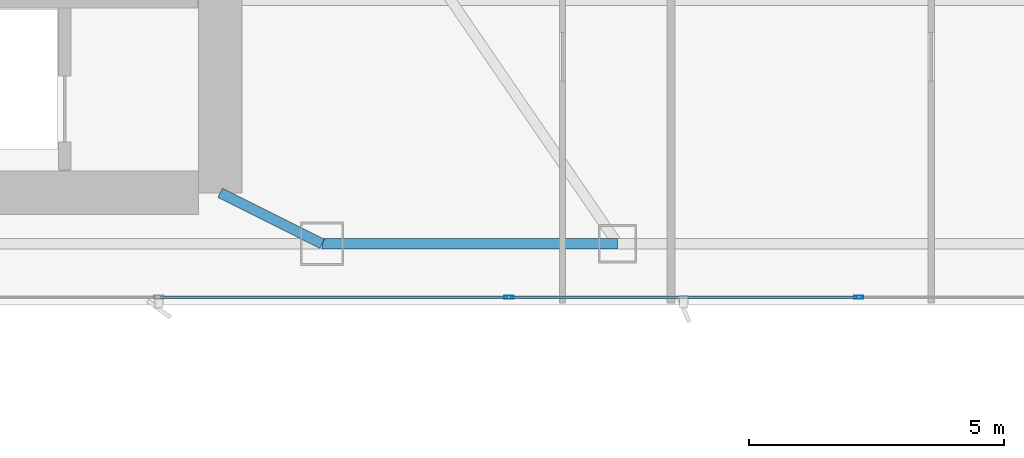
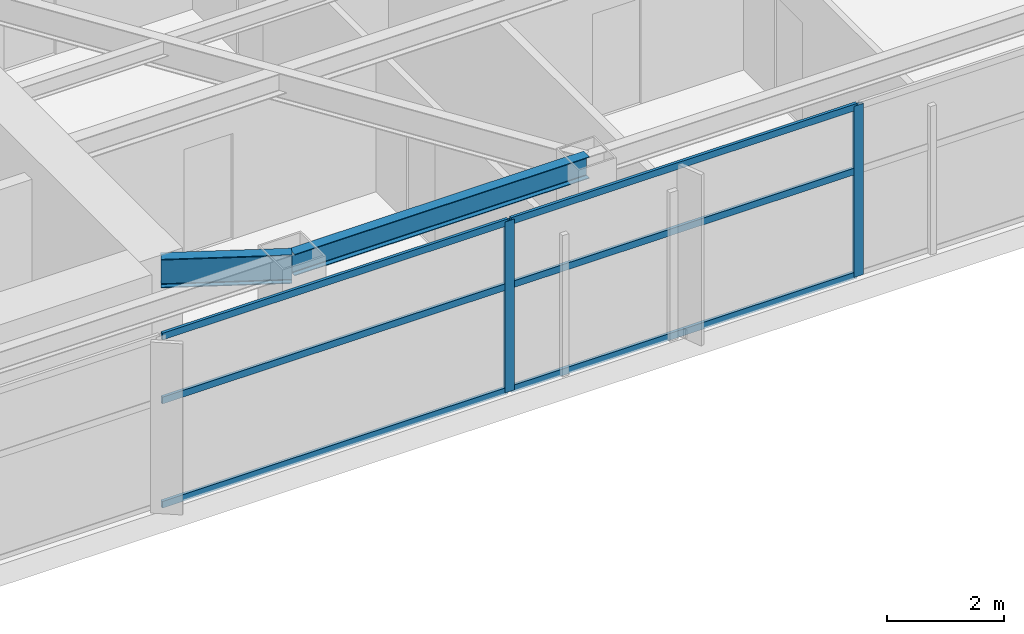
# One storey, part 13 of 30: 8 members, 2 beams, 1 element without a shape of its own.
"""IFC4 building model written with IfcOpenShell, lengths in metres."""

from ifc_helpers import new_model, si_unit, direction, frame, origin, origin_2d, place, context, subcontext, project, spatial, hollow_rectangle, i_section, extrude, material, layer, layer_set, material_profile, profile_set, type_object, element, aggregate, save


model = new_model("IFC4")

# Units and contexts
model_context = context("Model", 3, precision=1e-05, world=origin(), true_north=direction((0.0, 1.0)))
body_context = subcontext(model_context, "Body", "Model", "MODEL_VIEW")
ifc_project = project(units=[si_unit("LENGTHUNIT", "METRE"), si_unit("AREAUNIT", "SQUARE_METRE"), si_unit("VOLUMEUNIT", "CUBIC_METRE"), si_unit("PLANEANGLEUNIT", "RADIAN"), si_unit("MASSUNIT", "GRAM", prefix="KILO")], contexts=[model_context])

# Site, building, storey
site_placement = place(None, origin())
site = spatial("IfcSite", under=ifc_project, at=site_placement, CompositionType="ELEMENT")
building_placement = place(site_placement, origin())
building = spatial("IfcBuilding", under=site, at=building_placement, Name="Calvorn Quay Hotel", CompositionType="ELEMENT")
storey_placement = place(building_placement, frame((0.0, 0.0, 191.300048828125)))
storey = spatial("IfcBuildingStorey", under=building, at=storey_placement, Name="L47", CompositionType="ELEMENT", Elevation=191.300048828125)

# Beams
ifc_material_1 = material(Name="Steel Q355B", Category="steel")
ifc_material_profile_1 = material_profile(ifc_material_1, i_section(OverallWidth=0.199951171875, OverallDepth=0.60009765625, WebThickness=0.010986328125, FlangeThickness=0.01708984375, FilletRadius=0.01806640625, at=origin_2d()), Name="HN600x200x11x17")
ifc_profile_set_1 = profile_set([ifc_material_profile_1], Name="Steel Q355B")
beam_type_1 = type_object("IfcBeamType", Name="BM-GIRD-TYP", PredefinedType="BEAM", material=ifc_profile_set_1)
beam_1_placement = place(storey_placement, frame((34.39990234375, 3.60009765625, 3.239990234375), z_axis=(-0.894427191, 0.4472135955, 0.0), x_axis=(-0.4472135955, -0.894427191, 0.0)))
element("IfcBeam", 1, at=beam_1_placement, inside=storey, type_object=beam_type_1, Name="Beam BG-L47-S3", PredefinedType="BEAM", context=body_context, shape_type="SweptSolid", body=[
    extrude(i_section(OverallWidth=0.199951171875, OverallDepth=0.60009765625, WebThickness=0.010986328125, FlangeThickness=0.01708984375, FilletRadius=0.01806640625, at=origin_2d()), origin(), (0.0, 0.0, 1.0), 2.236083984375),
])
ifc_material_2 = material(Name="Steel Q355B", Category="steel")
ifc_material_profile_2 = material_profile(ifc_material_2, i_section(OverallWidth=0.199951171875, OverallDepth=0.449951171875, WebThickness=0.009033203125, FlangeThickness=0.013916015625, FilletRadius=0.01611328125, at=origin_2d()), Name="HN450x200x9x14")
ifc_profile_set_2 = profile_set([ifc_material_profile_2], Name="Steel Q355B")
beam_type_2 = type_object("IfcBeamType", Name="BM-SPANDREL-Z3", PredefinedType="SPANDREL", material=ifc_profile_set_2)
beam_2_placement = place(storey_placement, frame((34.39990234375, 3.60009765625, 3.31494140625), z_axis=(1.0, 0.0, 0.0), x_axis=(0.0, 1.0, 0.0)))
element("IfcBeam", 2, at=beam_2_placement, inside=storey, type_object=beam_type_2, Name="Beam BSP-L47-S4", PredefinedType="SPANDREL", context=body_context, shape_type="SweptSolid", body=[
    extrude(i_section(OverallWidth=0.199951171875, OverallDepth=0.449951171875, WebThickness=0.009033203125, FlangeThickness=0.013916015625, FilletRadius=0.01611328125, at=origin_2d()), origin(), (0.0, 0.0, 1.0), 5.800048828125),
])

# Curtain wall, members
ifc_material_3 = material(Name="Champagne Bronze Anodised Aluminium and Low-E Glass", Category="aluminium")
ifc_layer = layer(ifc_material_3, 0.219970703125)
ifc_layer_set = layer_set([ifc_layer], Name="CW-SYS-Z3")
curtain_wall_type = type_object("IfcCurtainWallType", Name="CW-SYS-Z3", PredefinedType="NOTDEFINED", material=ifc_layer_set)
curtain_wall_placement = place(storey_placement, origin())
curtain_wall = element("IfcCurtainWall", 3, at=curtain_wall_placement, inside=storey, type_object=curtain_wall_type, Name="Tower South Waterfront Curtain Wall (L47)", PredefinedType="NOTDEFINED")
ifc_material_4 = material(Name="Champagne Bronze Anodised Aluminium 6063-T6", Category="aluminium")
ifc_material_profile_3 = material_profile(ifc_material_4, hollow_rectangle(XDim=0.068115234375, YDim=0.18505859375, WallThickness=0.00390625, at=origin_2d()), Name="ALU-M185x68x4")
ifc_profile_set_3 = profile_set([ifc_material_profile_3], Name="Champagne Bronze Anodised Aluminium 6063-T6")
member_type_1 = type_object("IfcMemberType", Name="CW-SYS-Z3-MUL", PredefinedType="MULLION", material=ifc_profile_set_3)
member_1_placement = place(storey_placement, frame((38.066650390625, 2.550048828125, 0.0), z_axis=(0.0, 0.0, 1.0), x_axis=(0.0, 1.0, 0.0)))
member_1 = element("IfcMember", 4, at=member_1_placement, type_object=member_type_1, Name="CW-L47-S mullion 5", PredefinedType="MULLION", context=body_context, shape_type="SweptSolid", body=[
    extrude(hollow_rectangle(XDim=0.068115234375, YDim=0.18505859375, WallThickness=0.00390625, at=origin_2d()), origin(), (0.0, 0.0, 1.0), 3.56005859375),
])
member_2_placement = place(storey_placement, frame((44.933349609375, 2.550048828125, 0.0), z_axis=(0.0, 0.0, 1.0), x_axis=(0.0, 1.0, 0.0)))
member_2 = element("IfcMember", 5, at=member_2_placement, type_object=member_type_1, Name="CW-L47-S mullion 6", PredefinedType="MULLION", context=body_context, shape_type="SweptSolid", body=[
    extrude(hollow_rectangle(XDim=0.068115234375, YDim=0.18505859375, WallThickness=0.00390625, at=origin_2d()), origin(), (0.0, 0.0, 1.0), 3.56005859375),
])
ifc_material_5 = material(Name="Champagne Bronze Anodised Aluminium 6063-T6", Category="aluminium")
ifc_material_profile_4 = material_profile(ifc_material_5, hollow_rectangle(XDim=0.05810546875, YDim=0.139892578125, WallThickness=0.003173828125, at=origin_2d()), Name="ALU-T140x58x3.2")
ifc_profile_set_4 = profile_set([ifc_material_profile_4], Name="Champagne Bronze Anodised Aluminium 6063-T6")
member_type_2 = type_object("IfcMemberType", Name="CW-SYS-Z3-TRN", PredefinedType="USERDEFINED", material=ifc_profile_set_4)
member_3_placement = place(storey_placement, frame((31.22998046875, 2.550048828125, 0.030029296875), z_axis=(1.0, 0.0, 0.0), x_axis=(0.0, 1.0, 0.0)))
member_3 = element("IfcMember", 6, at=member_3_placement, type_object=member_type_2, Name="CW-L47-S transom 4.1", ObjectType="TRANSOM", PredefinedType="USERDEFINED", context=body_context, shape_type="SweptSolid", body=[
    extrude(hollow_rectangle(XDim=0.05810546875, YDim=0.139892578125, WallThickness=0.003173828125, at=origin_2d()), origin(), (0.0, 0.0, 1.0), 6.806640625),
])
member_4_placement = place(storey_placement, frame((31.22998046875, 2.550048828125, 2.199951171875), z_axis=(1.0, 0.0, 0.0), x_axis=(0.0, 1.0, 0.0)))
member_4 = element("IfcMember", 7, at=member_4_placement, type_object=member_type_2, Name="CW-L47-S transom 4.2", ObjectType="TRANSOM", PredefinedType="USERDEFINED", context=body_context, shape_type="SweptSolid", body=[
    extrude(hollow_rectangle(XDim=0.05810546875, YDim=0.139892578125, WallThickness=0.003173828125, at=origin_2d()), origin(), (0.0, 0.0, 1.0), 6.806640625),
])
member_5_placement = place(storey_placement, frame((31.22998046875, 2.550048828125, 3.530029296875), z_axis=(1.0, 0.0, 0.0), x_axis=(0.0, 1.0, 0.0)))
member_5 = element("IfcMember", 8, at=member_5_placement, type_object=member_type_2, Name="CW-L47-S transom 4.3", ObjectType="TRANSOM", PredefinedType="USERDEFINED", context=body_context, shape_type="SweptSolid", body=[
    extrude(hollow_rectangle(XDim=0.05810546875, YDim=0.139892578125, WallThickness=0.003173828125, at=origin_2d()), origin(), (0.0, 0.0, 1.0), 6.806640625),
])
member_6_placement = place(storey_placement, frame((38.0966796875, 2.550048828125, 0.030029296875), z_axis=(1.0, 0.0, 0.0), x_axis=(0.0, 1.0, 0.0)))
member_6 = element("IfcMember", 9, at=member_6_placement, type_object=member_type_2, Name="CW-L47-S transom 5.1", ObjectType="TRANSOM", PredefinedType="USERDEFINED", context=body_context, shape_type="SweptSolid", body=[
    extrude(hollow_rectangle(XDim=0.05810546875, YDim=0.139892578125, WallThickness=0.003173828125, at=origin_2d()), origin(), (0.0, 0.0, 1.0), 6.806640625),
])
member_7_placement = place(storey_placement, frame((38.0966796875, 2.550048828125, 2.199951171875), z_axis=(1.0, 0.0, 0.0), x_axis=(0.0, 1.0, 0.0)))
member_7 = element("IfcMember", 10, at=member_7_placement, type_object=member_type_2, Name="CW-L47-S transom 5.2", ObjectType="TRANSOM", PredefinedType="USERDEFINED", context=body_context, shape_type="SweptSolid", body=[
    extrude(hollow_rectangle(XDim=0.05810546875, YDim=0.139892578125, WallThickness=0.003173828125, at=origin_2d()), origin(), (0.0, 0.0, 1.0), 6.806640625),
])
member_8_placement = place(storey_placement, frame((38.0966796875, 2.550048828125, 3.530029296875), z_axis=(1.0, 0.0, 0.0), x_axis=(0.0, 1.0, 0.0)))
member_8 = element("IfcMember", 11, at=member_8_placement, type_object=member_type_2, Name="CW-L47-S transom 5.3", ObjectType="TRANSOM", PredefinedType="USERDEFINED", context=body_context, shape_type="SweptSolid", body=[
    extrude(hollow_rectangle(XDim=0.05810546875, YDim=0.139892578125, WallThickness=0.003173828125, at=origin_2d()), origin(), (0.0, 0.0, 1.0), 6.806640625),
])
aggregate(curtain_wall, [member_1, member_2, member_3, member_4, member_5, member_6, member_7, member_8])

save(model, "model.ifc")
